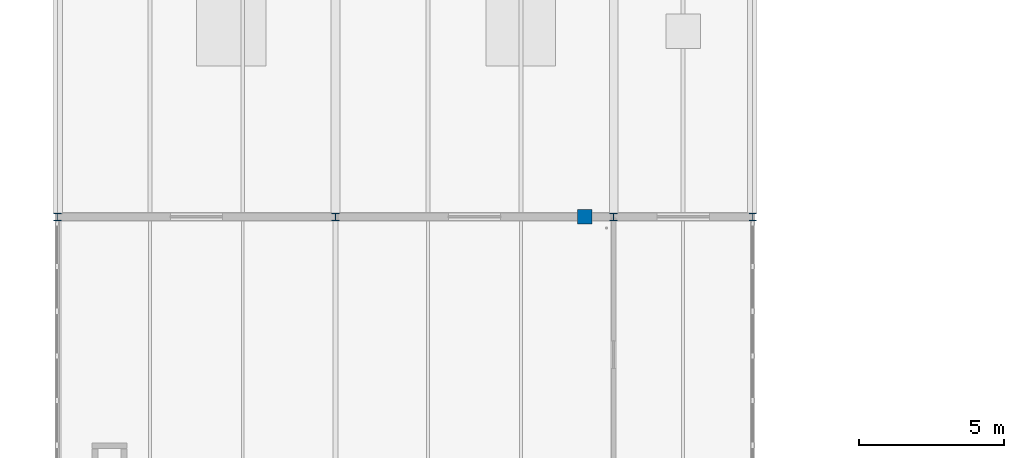
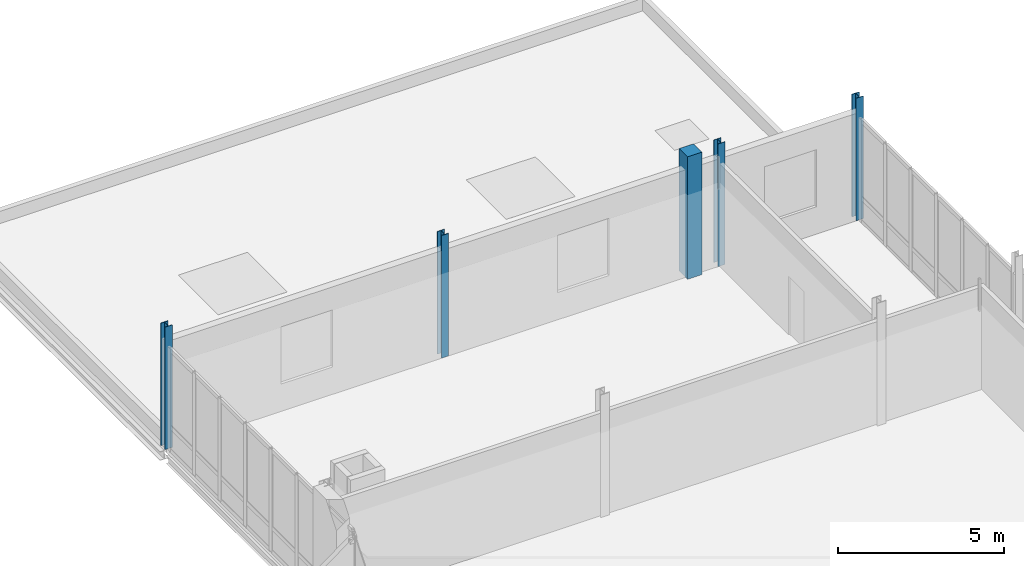
# One storey, part 11 of 107: 5 columns.
"""IFC4 building model written with IfcOpenShell, lengths in metres."""

from ifc_helpers import new_model, si_unit, direction, frame, origin, origin_2d, place, context, subcontext, project, spatial, rectangle, i_section, extrude, material, material_profile, profile_set, type_object, element, save


model = new_model("IFC4")

# Units and contexts
model_context = context("Model", 3, precision=1e-05, world=origin(), true_north=direction((0.0, 1.0)))
body_context = subcontext(model_context, "Body", "Model", "MODEL_VIEW")
ifc_project = project(units=[si_unit("LENGTHUNIT", "METRE"), si_unit("AREAUNIT", "SQUARE_METRE"), si_unit("VOLUMEUNIT", "CUBIC_METRE"), si_unit("PLANEANGLEUNIT", "RADIAN"), si_unit("MASSUNIT", "GRAM", prefix="KILO")], contexts=[model_context])

# Site, building, storey
site_placement = place(None, origin())
site = spatial("IfcSite", under=ifc_project, at=site_placement, CompositionType="ELEMENT")
building_placement = place(site_placement, origin())
building = spatial("IfcBuilding", under=site, at=building_placement, Name="Dunescarp Central Library", CompositionType="ELEMENT")
storey_placement = place(building_placement, frame((0.0, 0.0, 5.10009765625)))
storey = spatial("IfcBuildingStorey", under=building, at=storey_placement, Name="L01", CompositionType="ELEMENT", Elevation=5.10009765625)

# Columns
ifc_material_1 = material(Name="Concrete C40/50", Category="concrete")
ifc_material_profile_1 = material_profile(ifc_material_1, rectangle(XDim=0.5, YDim=0.5, at=origin_2d()), Name="RC 500x500")
ifc_profile_set_1 = profile_set([ifc_material_profile_1], Name="Concrete C40/50")
column_type_1 = type_object("IfcColumnType", Name="STR-COL-RC500", PredefinedType="COLUMN", material=ifc_profile_set_1)
column_placement = place(storey_placement, frame((18.199951171875, 99.199951171875, 0.0), z_axis=(0.0, 0.0, 1.0), x_axis=(1.0, 0.0, 0.0)))
element("IfcColumn", 1, at=column_placement, inside=storey, type_object=column_type_1, Name="L01 column TERP-182-992", PredefinedType="COLUMN", context=body_context, shape_type="SweptSolid", body=[
    extrude(rectangle(XDim=0.5, YDim=0.5, at=origin_2d()), origin(), (0.0, 0.0, 1.0), 4.5),
])
ifc_material_2 = material(Name="Steel S355JR", Category="steel")
ifc_material_profile_2 = material_profile(ifc_material_2, i_section(OverallWidth=0.25634765625, OverallDepth=0.26025390625, WebThickness=0.01025390625, FlangeThickness=0.017333984375, at=origin_2d()), Name="UC 254x254x89")
ifc_profile_set_2 = profile_set([ifc_material_profile_2], Name="Steel S355JR")
column_type_2 = type_object("IfcColumnType", Name="STR-COL-UC254X89", PredefinedType="COLUMN", material=ifc_profile_set_2)
for number, where, z_axis, x_axis, name in (
    (2, (0.0, 99.199951171875, 0.0), (0.0, 0.0, 1.0), (1.0, 0.0, 0.0), "L01 column V4N1-0"),
    (3, (9.60009765625, 99.199951171875, 0.0), (0.0, 0.0, 1.0), (1.0, 0.0, 0.0), "L01 column V4N1-96"),
    (4, (19.199951171875, 99.199951171875, 0.0), (0.0, 0.0, 1.0), (1.0, 0.0, 0.0), "L01 column V4N1-192"),
    (5, (24.0, 99.199951171875, 0.0), (0.0, 0.0, 1.0), (1.0, 0.0, 0.0), "L01 column V4N1-240"),
):
    element("IfcColumn", number, at=place(storey_placement, frame(where, z_axis=z_axis, x_axis=x_axis)), inside=storey, type_object=column_type_2, Name=name, PredefinedType="COLUMN", context=body_context, shape_type="SweptSolid", body=[
        extrude(i_section(OverallWidth=0.25634765625, OverallDepth=0.26025390625, WebThickness=0.01025390625, FlangeThickness=0.017333984375, at=origin_2d()), origin(), (0.0, 0.0, 1.0), 4.5),
    ])

save(model, "model.ifc")
